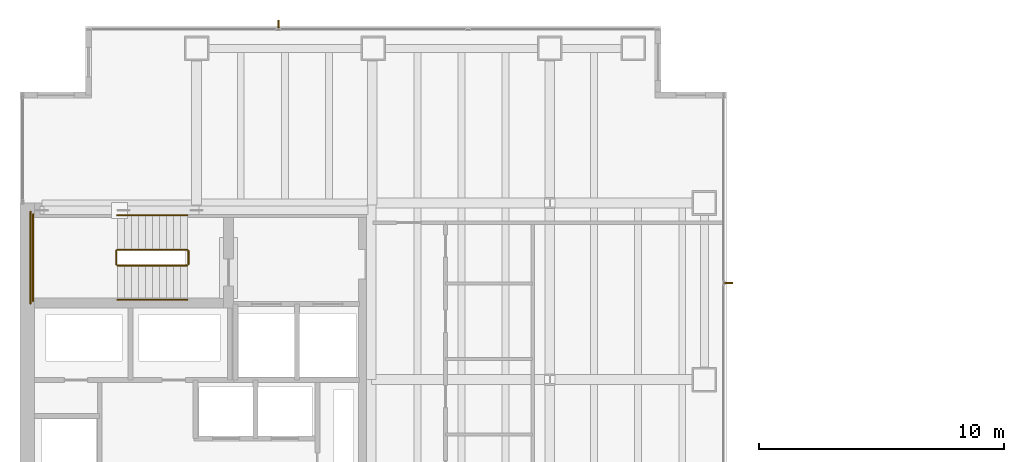
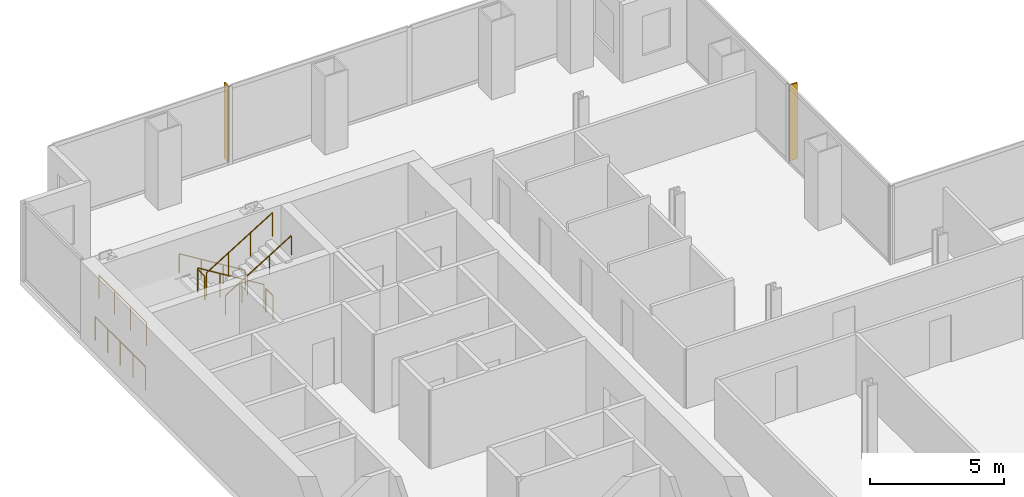
# One storey, part 25 of 25: 8 railings, 2 shading devices.
"""IFC4 building model written with IfcOpenShell, lengths in metres."""

from ifc_helpers import new_model, si_unit, direction, frame, origin, origin_2d, place, context, subcontext, project, spatial, polyline, circle, outline, extrude, material, layer, layer_set, type_object, element, save


model = new_model("IFC4")

# Units and contexts
model_context = context("Model", 3, precision=1e-05, world=origin(), true_north=direction((0.0, 1.0)))
body_context = subcontext(model_context, "Body", "Model", "MODEL_VIEW")
ifc_project = project(units=[si_unit("LENGTHUNIT", "METRE"), si_unit("AREAUNIT", "SQUARE_METRE"), si_unit("VOLUMEUNIT", "CUBIC_METRE"), si_unit("PLANEANGLEUNIT", "RADIAN"), si_unit("MASSUNIT", "GRAM", prefix="KILO")], contexts=[model_context])

# Site, building, storey
site_placement = place(None, origin())
site = spatial("IfcSite", under=ifc_project, at=site_placement, CompositionType="ELEMENT")
building_placement = place(site_placement, origin())
building = spatial("IfcBuilding", under=site, at=building_placement, Name="Cobrela Telecom Tower", CompositionType="ELEMENT")
storey_placement = place(building_placement, frame((0.0, 0.0, 58.10009765625)))
storey = spatial("IfcBuildingStorey", under=building, at=storey_placement, Name="L14", CompositionType="ELEMENT", Elevation=58.10009765625)

# Railings
ifc_material_1 = material(Name="Steel ASTM A36", Category="steel")
railing_type_1 = type_object("IfcRailingType", Name="RAIL-GUARD-1100", PredefinedType="GUARDRAIL", material=ifc_material_1)
railing_1_placement = place(storey_placement, frame((6.820068359375, 34.10009765625, 0.1748046875)))
element("IfcRailing", 1, at=railing_1_placement, inside=storey, type_object=railing_type_1, Name="L14 ST1 stair guard 1", PredefinedType="GUARDRAIL", context=body_context, shape_type="SweptSolid", body=[
    extrude(circle(Radius=0.02392578125, at=origin_2d()), frame((0.0, 0.0, 1.076171875), z_axis=(-0.852179220489, 0.0, 0.52325001306), x_axis=(0.0, -1.0, 0.0)), (0.0, 0.0, 1.0), 3.344482421875),
    extrude(circle(Radius=0.02099609375, at=origin_2d()), origin(), (0.0, 0.0, 1.0), 1.052001953125),
    extrude(circle(Radius=0.02099609375, at=origin_2d()), frame((-0.949951171875, 0.0, 0.583251953125)), (0.0, 0.0, 1.0), 1.052001953125),
    extrude(circle(Radius=0.02099609375, at=origin_2d()), frame((-1.900146484375, 0.0, 1.166748046875)), (0.0, 0.0, 1.0), 1.052001953125),
    extrude(circle(Radius=0.02099609375, at=origin_2d()), frame((-2.85009765625, 0.0, 1.75)), (0.0, 0.0, 1.0), 1.052001953125),
])
railing_2_placement = place(storey_placement, frame((3.919921875, 34.050048828125, 1.9248046875)))
element("IfcRailing", 2, at=railing_2_placement, inside=storey, type_object=railing_type_1, Name="L14 ST1 stair guard 2", PredefinedType="GUARDRAIL", context=body_context, shape_type="SweptSolid", body=[
    extrude(circle(Radius=0.02392578125, at=origin_2d()), frame((0.0, 0.0, 1.076171875), z_axis=(0.0, -1.0, 0.0), x_axis=(1.0, 0.0, 0.0)), (0.0, 0.0, 1.0), 0.550048828125),
    extrude(circle(Radius=0.02099609375, at=origin_2d()), origin(), (0.0, 0.0, 1.0), 1.052001953125),
    extrude(circle(Radius=0.02099609375, at=origin_2d()), frame((0.0, -0.550048828125, 0.0)), (0.0, 0.0, 1.0), 1.052001953125),
])
railing_3_placement = place(storey_placement, frame((0.530029296875, 35.550048828125, 1.9248046875)))
element("IfcRailing", 3, at=railing_3_placement, inside=storey, type_object=railing_type_1, Name="L14 ST1 stair guard 3", PredefinedType="GUARDRAIL", context=body_context, shape_type="SweptSolid", body=[
    extrude(circle(Radius=0.02392578125, at=origin_2d()), frame((0.0, 0.0, 1.076171875), z_axis=(0.0, -1.0, 0.0), x_axis=(1.0, 0.0, 0.0)), (0.0, 0.0, 1.0), 3.550048828125),
    extrude(circle(Radius=0.02099609375, at=origin_2d()), origin(), (0.0, 0.0, 1.0), 1.052001953125),
    extrude(circle(Radius=0.02099609375, at=origin_2d()), frame((0.0, -1.183349609375, 0.0)), (0.0, 0.0, 1.0), 1.052001953125),
    extrude(circle(Radius=0.02099609375, at=origin_2d()), frame((0.0, -2.36669921875, 0.0)), (0.0, 0.0, 1.0), 1.052001953125),
    extrude(circle(Radius=0.02099609375, at=origin_2d()), frame((0.0, -3.550048828125, 0.0)), (0.0, 0.0, 1.0), 1.052001953125),
])
railing_4_placement = place(storey_placement, frame((3.969970703125, 33.449951171875, 2.099853515625)))
element("IfcRailing", 4, at=railing_4_placement, inside=storey, type_object=railing_type_1, Name="L14 ST1 stair guard 4", PredefinedType="GUARDRAIL", context=body_context, shape_type="SweptSolid", body=[
    extrude(circle(Radius=0.02392578125, at=origin_2d()), frame((0.0, 0.0, 1.076171875), z_axis=(0.852179220489, 0.0, 0.52325001306), x_axis=(0.0, 1.0, 0.0)), (0.0, 0.0, 1.0), 3.344482421875),
    extrude(circle(Radius=0.02099609375, at=origin_2d()), origin(), (0.0, 0.0, 1.0), 1.052001953125),
    extrude(circle(Radius=0.02099609375, at=origin_2d()), frame((0.949951171875, 0.0, 0.583251953125)), (0.0, 0.0, 1.0), 1.052001953125),
    extrude(circle(Radius=0.02099609375, at=origin_2d()), frame((1.900146484375, 0.0, 1.166748046875)), (0.0, 0.0, 1.0), 1.052001953125),
    extrude(circle(Radius=0.02099609375, at=origin_2d()), frame((2.85009765625, 0.0, 1.75)), (0.0, 0.0, 1.0), 1.052001953125),
])
railing_5_placement = place(storey_placement, frame((6.8701171875, 34.050048828125, 0.0)))
element("IfcRailing", 5, at=railing_5_placement, inside=storey, type_object=railing_type_1, Name="L14 ST1 stair guard 5", PredefinedType="GUARDRAIL", context=body_context, shape_type="SweptSolid", body=[
    extrude(circle(Radius=0.02392578125, at=origin_2d()), frame((0.0, 0.0, 1.076171875), z_axis=(0.0, -1.0, 0.0), x_axis=(1.0, 0.0, 0.0)), (0.0, 0.0, 1.0), 0.550048828125),
    extrude(circle(Radius=0.02099609375, at=origin_2d()), origin(), (0.0, 0.0, 1.0), 1.052001953125),
    extrude(circle(Radius=0.02099609375, at=origin_2d()), frame((0.0, -0.550048828125, 0.0)), (0.0, 0.0, 1.0), 1.052001953125),
])
railing_6_placement = place(storey_placement, frame((0.429931640625, 35.64990234375, 0.0)))
element("IfcRailing", 6, at=railing_6_placement, inside=storey, type_object=railing_type_1, Name="L14 ST1 stair guard 6", PredefinedType="GUARDRAIL", context=body_context, shape_type="SweptSolid", body=[
    extrude(circle(Radius=0.02392578125, at=origin_2d()), frame((0.0, 0.0, 1.076171875), z_axis=(0.0, -1.0, 0.0), x_axis=(1.0, 0.0, 0.0)), (0.0, 0.0, 1.0), 3.75),
    extrude(circle(Radius=0.02099609375, at=origin_2d()), origin(), (0.0, 0.0, 1.0), 1.052001953125),
    extrude(circle(Radius=0.02099609375, at=origin_2d()), frame((0.0, -0.9375, 0.0)), (0.0, 0.0, 1.0), 1.052001953125),
    extrude(circle(Radius=0.02099609375, at=origin_2d()), frame((0.0, -1.875, 0.0)), (0.0, 0.0, 1.0), 1.052001953125),
    extrude(circle(Radius=0.02099609375, at=origin_2d()), frame((0.0, -2.8125, 0.0)), (0.0, 0.0, 1.0), 1.052001953125),
    extrude(circle(Radius=0.02099609375, at=origin_2d()), frame((0.0, -3.75, 0.0)), (0.0, 0.0, 1.0), 1.052001953125),
])
railing_type_2 = type_object("IfcRailingType", Name="RAIL-HAND-920", PredefinedType="HANDRAIL", material=ifc_material_1)
railing_7_placement = place(storey_placement, frame((6.820068359375, 35.5, 0.1748046875)))
element("IfcRailing", 7, at=railing_7_placement, inside=storey, type_object=railing_type_2, Name="L14 ST1 stair handrail 1", PredefinedType="HANDRAIL", context=body_context, shape_type="SweptSolid", body=[
    extrude(circle(Radius=0.02392578125, at=origin_2d()), frame((0.0, 0.0, 0.8759765625), z_axis=(-0.852179220489, 0.0, 0.52325001306), x_axis=(0.0, -1.0, 0.0)), (0.0, 0.0, 1.0), 3.344482421875),
    extrude(circle(Radius=0.02099609375, at=origin_2d()), origin(), (0.0, 0.0, 1.0), 0.851806640625),
    extrude(circle(Radius=0.02099609375, at=origin_2d()), frame((-0.949951171875, 0.0, 0.583251953125)), (0.0, 0.0, 1.0), 0.851806640625),
    extrude(circle(Radius=0.02099609375, at=origin_2d()), frame((-1.900146484375, 0.0, 1.166748046875)), (0.0, 0.0, 1.0), 0.851806640625),
    extrude(circle(Radius=0.02099609375, at=origin_2d()), frame((-2.85009765625, 0.0, 1.75)), (0.0, 0.0, 1.0), 0.851806640625),
])
railing_8_placement = place(storey_placement, frame((3.969970703125, 32.050048828125, 2.099853515625)))
element("IfcRailing", 8, at=railing_8_placement, inside=storey, type_object=railing_type_2, Name="L14 ST1 stair handrail 2", PredefinedType="HANDRAIL", context=body_context, shape_type="SweptSolid", body=[
    extrude(circle(Radius=0.02392578125, at=origin_2d()), frame((0.0, 0.0, 0.8759765625), z_axis=(0.852179220489, 0.0, 0.52325001306), x_axis=(0.0, 1.0, 0.0)), (0.0, 0.0, 1.0), 3.344482421875),
    extrude(circle(Radius=0.02099609375, at=origin_2d()), origin(), (0.0, 0.0, 1.0), 0.851806640625),
    extrude(circle(Radius=0.02099609375, at=origin_2d()), frame((0.949951171875, 0.0, 0.583251953125)), (0.0, 0.0, 1.0), 0.851806640625),
    extrude(circle(Radius=0.02099609375, at=origin_2d()), frame((1.900146484375, 0.0, 1.166748046875)), (0.0, 0.0, 1.0), 0.851806640625),
    extrude(circle(Radius=0.02099609375, at=origin_2d()), frame((2.85009765625, 0.0, 1.75)), (0.0, 0.0, 1.0), 0.851806640625),
])

# Shading devices
ifc_material_2 = material(Name="Anodized Bronze Aluminium 6063-T6", Category="aluminium")
ifc_layer = layer(ifc_material_2, 0.06005859375)
ifc_layer_set = layer_set([ifc_layer], Name="Anodized Bronze Aluminium 6063-T6")
shading_device_type = type_object("IfcShadingDeviceType", Name="SHD-FIN-BRZ", PredefinedType="USERDEFINED", material=ifc_layer_set)
shading_device_1_placement = place(storey_placement, frame((0.0, 0.0, 0.0498046875)))
element("IfcShadingDevice", 9, at=shading_device_1_placement, inside=storey, type_object=shading_device_type, Name="L14 Anodized Bronze Solar Fin 21", ObjectType="SUNSHADE", PredefinedType="USERDEFINED", context=body_context, shape_type="SweptSolid", body=[
    extrude(outline(polyline([(10.5, 43.1201171875), (10.56005859375, 43.1201171875), (10.56005859375, 43.4599609375), (10.5, 43.4599609375), (10.5, 43.1201171875)])), origin(), (0.0, 0.0, 1.0), 3.47021484375),
])
shading_device_2_placement = place(storey_placement, frame((0.0, 0.0, 0.0498046875)))
element("IfcShadingDevice", 10, at=shading_device_2_placement, inside=storey, type_object=shading_device_type, Name="L14 Anodized Bronze Solar Fin 22", ObjectType="SUNSHADE", PredefinedType="USERDEFINED", context=body_context, shape_type="SweptSolid", body=[
    extrude(outline(polyline([(28.719970703125, 32.77490234375), (28.719970703125, 32.715087890625), (29.06005859375, 32.715087890625), (29.06005859375, 32.77490234375), (28.719970703125, 32.77490234375)])), origin(), (0.0, 0.0, 1.0), 3.47021484375),
])

save(model, "model.ifc")
